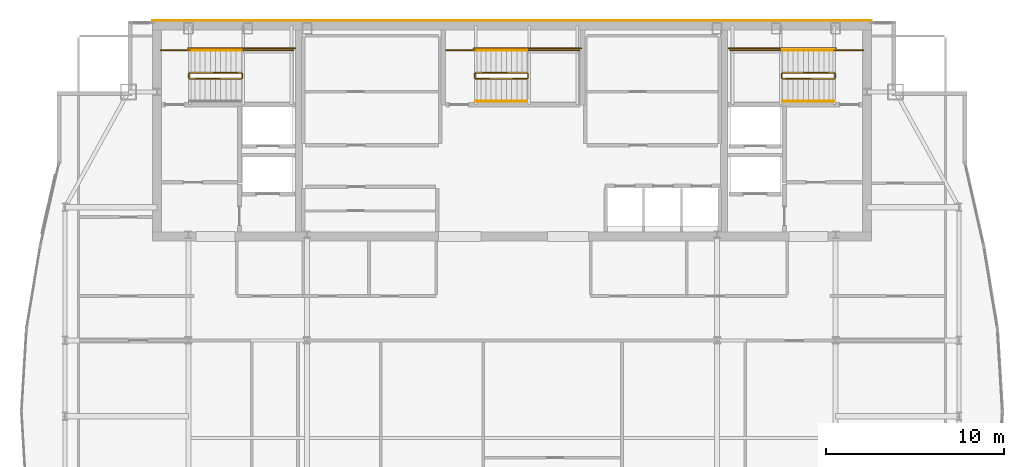
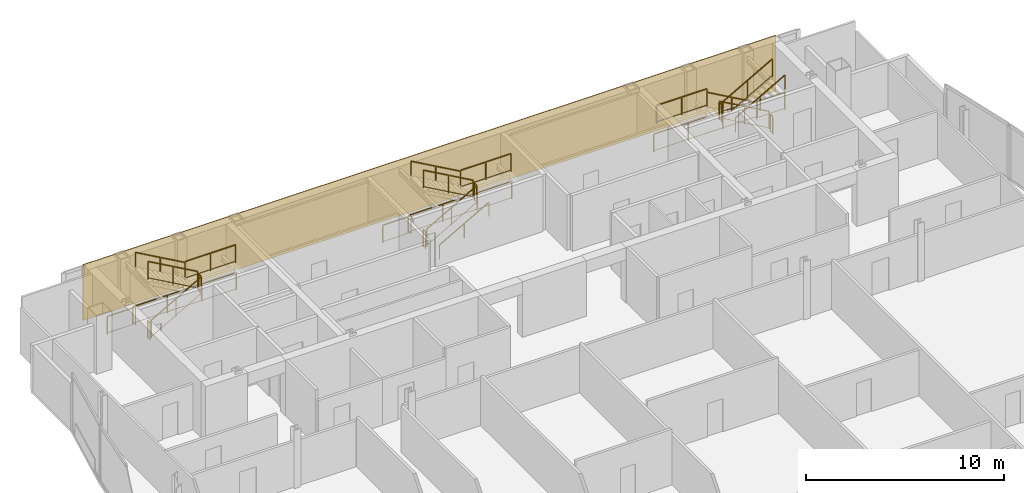
# One storey, part 29 of 29: 26 railings, 1 covering.
"""IFC4 building model written with IfcOpenShell, lengths in metres."""

import ifcopenshell
import ifcopenshell.guid

model = None  # the IFC model being written
_history = None  # IfcOwnerHistory: only IFC2X3 demands one
_inside = {}  # id of a spatial element -> (the spatial element, [elements in it])
_under = {}  # id of a project, library or spatial element -> (it, [spatial elements below it])
_declared = {}  # id of a project -> (the project, [libraries it declares])
_typed = {}  # id of a type object -> (the type object, [elements of that type])
_made_of = {}  # id of a material, layer set ... -> (it, [elements and type objects made of it])


def new_model(schema):
    """Start an empty IFC model of exactly this schema.

    Asked for "IFC4X3", IfcOpenShell would pick the latest addendum, in which some entities
    have other attributes; the version numbers below select the first issue.
    IFC2X3 requires an IfcOwnerHistory on every rooted entity: one is made here for all.
    """
    global model, _history
    if schema == "IFC4X3":
        model = ifcopenshell.file(schema_version=(4, 3, 0, 0))
    else:
        model = ifcopenshell.file(schema=schema)
    _inside.clear()
    _under.clear()
    _declared.clear()
    _typed.clear()
    _made_of.clear()
    _history = None
    if model.schema == "IFC2X3":
        org = make("IfcOrganization", Name="unknown")
        user = make(
            "IfcPersonAndOrganization",
            ThePerson=make("IfcPerson", FamilyName="unknown"),
            TheOrganization=org,
        )
        app = make(
            "IfcApplication",
            ApplicationDeveloper=org,
            Version="unknown",
            ApplicationFullName="unknown",
            ApplicationIdentifier="unknown",
        )
        _history = make(
            "IfcOwnerHistory",
            OwningUser=user,
            OwningApplication=app,
            ChangeAction="ADDED",
            CreationDate=0,
        )
    return model


def make(cls, **values):
    """One entity of the class cls with the attributes given. An attribute that is None is left unset."""
    return model.create_entity(
        cls, **{name: value for name, value in values.items() if value is not None}
    )


def rooted(cls, **values):
    """An entity with a GlobalId (a new one), such as an element, a storey or a relation."""
    return make(cls, GlobalId=ifcopenshell.guid.new(), OwnerHistory=_history, **values)


def si_unit(unit_type, name, prefix=None):
    """IfcSIUnit, for example si_unit("LENGTHUNIT", "METRE", prefix="MILLI")."""
    return make("IfcSIUnit", UnitType=unit_type, Prefix=prefix, Name=name)


def assignment(units):
    """IfcUnitAssignment: the units of a project."""
    return None if units is None else make("IfcUnitAssignment", Units=units)


def point(xyz):
    """IfcCartesianPoint."""
    return None if xyz is None else make("IfcCartesianPoint", Coordinates=xyz)


def direction(xyz):
    """IfcDirection."""
    return None if xyz is None else make("IfcDirection", DirectionRatios=xyz)


def frame(location, z_axis=None, x_axis=None):
    """IfcAxis2Placement3D, a coordinate frame: its origin and axes. An axis left out is left unset."""
    return make(
        "IfcAxis2Placement3D",
        Location=point(location),
        Axis=direction(z_axis),
        RefDirection=direction(x_axis),
    )


def frame_2d(location, x_axis=None):
    """IfcAxis2Placement2D, a coordinate frame in the plane: its origin and x axis."""
    return make(
        "IfcAxis2Placement2D", Location=point(location), RefDirection=direction(x_axis)
    )


def origin():
    """The frame at (0, 0, 0) with its axes left unset."""
    return frame((0.0, 0.0, 0.0))


def origin_2d():
    """The frame at (0, 0) in the plane with its x axis left unset."""
    return frame_2d((0.0, 0.0))


def place(relative_to, where):
    """IfcLocalPlacement: puts the frame where relative to a parent placement (None: the world)."""
    return make(
        "IfcLocalPlacement", PlacementRelTo=relative_to, RelativePlacement=where
    )


def context(
    kind, dimensions, precision=None, world=None, true_north=None, identifier=None
):
    """IfcGeometricRepresentationContext, for example the 3D "Model" context."""
    return make(
        "IfcGeometricRepresentationContext",
        ContextIdentifier=identifier,
        ContextType=kind,
        CoordinateSpaceDimension=dimensions,
        Precision=precision,
        WorldCoordinateSystem=world,
        TrueNorth=true_north,
    )


def subcontext(parent, identifier, kind, view, scale=None):
    """IfcGeometricRepresentationSubContext, for example "Body" below "Model"."""
    return make(
        "IfcGeometricRepresentationSubContext",
        ContextIdentifier=identifier,
        ContextType=kind,
        ParentContext=parent,
        TargetScale=scale,
        TargetView=view,
    )


def project(units=None, contexts=None):
    """IfcProject with its units and contexts."""
    return rooted(
        "IfcProject",
        Name="project",
        RepresentationContexts=contexts,
        UnitsInContext=assignment(units),
    )


def spatial(cls, under=None, at=None, **own):
    """A site, building, storey or space (cls), placed at a placement, below another one or the project."""
    s = rooted(cls, ObjectPlacement=at, **own)
    if under is not None:
        _under.setdefault(under.id(), (under, []))[1].append(s)
    return s


def polyline(points):
    """IfcPolyline through the points."""
    return make("IfcPolyline", Points=[point(p) for p in points])


def profile(cls, at=None, kind="AREA", **sizes):
    """A parametric profile (cls). Its sizes go by their IFC names, for example OverallWidth=200.0."""
    return make(cls, ProfileType=kind, Position=at, **sizes)


def rectangle(**sizes):
    """IfcRectangleProfileDef."""
    return profile("IfcRectangleProfileDef", **sizes)


def outline(outer, holes=None, kind="AREA"):
    """IfcArbitraryClosedProfileDef: a profile drawn as a closed curve; with holes, ...WithVoids."""
    if holes is None:
        return make("IfcArbitraryClosedProfileDef", ProfileType=kind, OuterCurve=outer)
    return make(
        "IfcArbitraryProfileDefWithVoids",
        ProfileType=kind,
        OuterCurve=outer,
        InnerCurves=holes,
    )


def extrude(swept, where, along, depth):
    """IfcExtrudedAreaSolid: the profile swept, set in the frame where, extruded along a direction by depth."""
    return make(
        "IfcExtrudedAreaSolid",
        SweptArea=swept,
        Position=where,
        ExtrudedDirection=direction(along),
        Depth=depth,
    )


def shape(context_of_items, identifier, shape_type, items):
    """IfcShapeRepresentation: the items that make up one representation, for example the "Body"."""
    return make(
        "IfcShapeRepresentation",
        ContextOfItems=context_of_items,
        RepresentationIdentifier=identifier,
        RepresentationType=shape_type,
        Items=items,
    )


def material(Name=None, Category=None):
    """IfcMaterial."""
    return make("IfcMaterial", Name=Name, Category=Category)


def layer(
    of_material, thickness, ventilated=None, Name=None, Category=None, Priority=None
):
    """IfcMaterialLayer: one layer of a wall or slab, of a material (None: an air gap)."""
    return make(
        "IfcMaterialLayer",
        Material=of_material,
        LayerThickness=thickness,
        IsVentilated=ventilated,
        Name=Name,
        Category=Category,
        Priority=Priority,
    )


def layer_set(layers, Name=None):
    """IfcMaterialLayerSet."""
    return make("IfcMaterialLayerSet", MaterialLayers=layers, LayerSetName=Name)


def made_of(thing, what):
    """Note that an element or type object is made of a material, layer set ...; save() writes the relation."""
    if what is not None:
        _made_of.setdefault(what.id(), (what, []))[1].append(thing)
    return thing


def type_object(cls, material=None, **own):
    """A type object (cls), such as IfcWallType, which elements share."""
    return made_of(rooted(cls, **own), material)


def element(
    cls,
    number,
    at=None,
    inside=None,
    cuts=None,
    type_object=None,
    material=None,
    context=None,
    identifier="Body",
    shape_type=None,
    held_by="IfcProductDefinitionShape",
    body=None,
    shapes=None,
    **own,
):
    """One element of the class cls, such as IfcWall. Its Tag is "e" and its number.

    at: its placement. inside: the storey or other place that contains it. cuts: it is an
    opening in that element (IfcRelVoidsElement). A single representation is given by context,
    identifier, shape_type and body (its items); several are given by shapes. held_by: the class
    of the entity that holds the representations. save() writes the other relations.
    """
    e = rooted(cls, Tag="e%d" % number, ObjectPlacement=at, **own)
    if body is not None:
        shapes = [shape(context, identifier, shape_type, body)]
    if shapes is not None:
        e.Representation = make(held_by, Representations=shapes)
    if inside is not None:
        _inside.setdefault(inside.id(), (inside, []))[1].append(e)
    if cuts is not None:
        rooted(
            "IfcRelVoidsElement", RelatingBuildingElement=cuts, RelatedOpeningElement=e
        )
    if type_object is not None:
        _typed.setdefault(type_object.id(), (type_object, []))[1].append(e)
    return made_of(e, material)


def aggregate(whole, parts):
    """IfcRelAggregates: a whole, such as a stair, and the parts it consists of."""
    return rooted("IfcRelAggregates", RelatingObject=whole, RelatedObjects=parts)


def save(model, path):
    """Write the relations noted so far, then the file.

    IfcRelAggregates (storeys below a building ...), IfcRelContainedInSpatialStructure (elements
    in a storey), IfcRelDefinesByType, IfcRelAssociatesMaterial and IfcRelDeclares: one each for
    every whole, place, type object, material and project.
    """
    for whole, parts in _under.values():
        aggregate(whole, parts)
    for where, things in _inside.values():
        rooted(
            "IfcRelContainedInSpatialStructure",
            RelatedElements=things,
            RelatingStructure=where,
        )
    for kind, things in _typed.values():
        rooted("IfcRelDefinesByType", RelatedObjects=things, RelatingType=kind)
    for what, things in _made_of.values():
        rooted("IfcRelAssociatesMaterial", RelatedObjects=things, RelatingMaterial=what)
    for by, libraries in _declared.values():
        rooted("IfcRelDeclares", RelatingContext=by, RelatedDefinitions=libraries)
    model.write(path)


model = new_model("IFC4")

# Units and contexts
model_context = context("Model", 3, precision=1e-05, world=origin(), true_north=direction((0.0, 1.0)))
body_context = subcontext(model_context, "Body", "Model", "MODEL_VIEW")
ifc_project = project(units=[si_unit("LENGTHUNIT", "METRE"), si_unit("AREAUNIT", "SQUARE_METRE"), si_unit("VOLUMEUNIT", "CUBIC_METRE"), si_unit("PLANEANGLEUNIT", "RADIAN"), si_unit("MASSUNIT", "GRAM", prefix="KILO")], contexts=[model_context])

# Site, building, storey
site_placement = place(None, origin())
site = spatial("IfcSite", under=ifc_project, at=site_placement, CompositionType="ELEMENT")
building_placement = place(site_placement, origin())
building = spatial("IfcBuilding", under=site, at=building_placement, Name="Khoronbel Lancet Exchange", CompositionType="ELEMENT")
storey_placement = place(building_placement, frame((0.0, 0.0, 318.199951171875)))
storey = spatial("IfcBuildingStorey", under=building, at=storey_placement, Name="L82", CompositionType="ELEMENT", Elevation=318.199951171875)

# Covering
ifc_material_1 = material(Name="Honed Egyptian Limestone & Bronze Rainscreen", Category="masonry")
ifc_layer = layer(ifc_material_1, 0.050048828125, Name="Honed Egyptian Limestone & Bronze Rainscreen")
ifc_layer_set = layer_set([ifc_layer], Name="Honed Egyptian Limestone & Bronze Rainscreen")
covering_type = type_object("IfcCoveringType", Name="COV-CLAD1", PredefinedType="CLADDING", material=ifc_layer_set)
covering_placement = place(storey_placement, origin())
element("IfcCovering", 1, at=covering_placement, inside=storey, type_object=covering_type, Name="Level L82 north rear-core stone and bronze rainscreen cladding", PredefinedType="CLADDING", context=body_context, shape_type="SweptSolid", body=[
    extrude(outline(polyline([(16.199951171875, 53.699951171875), (56.699951171875, 53.699951171875), (56.699951171875, 53.75), (16.199951171875, 53.75), (16.199951171875, 53.699951171875)])), origin(), (0.0, 0.0, 1.0), 3.43994140625),
])

# Railings
ifc_material_2 = material(Name="Painted Steel Balustrade", Category="steel")
railing_type_1 = type_object("IfcRailingType", Name="RL-STG110", PredefinedType="GUARDRAIL", material=ifc_material_2)
railing_1_placement = place(storey_placement, frame((18.300048828125, 50.449951171875, 0.16357421875)))
element("IfcRailing", 2, at=railing_1_placement, inside=storey, type_object=railing_type_1, Name="L82 ST1 stair guard 1", PredefinedType="GUARDRAIL", context=body_context, shape_type="SweptSolid", body=[
    extrude(rectangle(XDim=0.048095703125, YDim=0.048095703125, at=origin_2d()), frame((0.0, 0.0, 1.09619140625), z_axis=(0.870897200241, 0.0, 0.491465224214), x_axis=(0.0, 1.0, 0.0)), (0.0, 0.0, 1.0), 3.329833984375),
    extrude(rectangle(XDim=0.02392578125, YDim=0.02392578125, at=origin_2d()), frame((0.0, 0.0, 0.080078125), z_axis=(0.870897200241, 0.0, 0.491465224214), x_axis=(0.0, 1.0, 0.0)), (0.0, 0.0, 1.0), 3.329833984375),
    extrude(rectangle(XDim=0.0419921875, YDim=0.0419921875, at=origin_2d()), origin(), (0.0, 0.0, 1.0), 1.072021484375),
    extrude(rectangle(XDim=0.0419921875, YDim=0.0419921875, at=origin_2d()), frame((1.449951171875, 0.0, 0.818359375)), (0.0, 0.0, 1.0), 1.072021484375),
    extrude(rectangle(XDim=0.0419921875, YDim=0.0419921875, at=origin_2d()), frame((2.89990234375, 0.0, 1.636474609375)), (0.0, 0.0, 1.0), 1.072021484375),
])
railing_2_placement = place(storey_placement, frame((21.25, 50.5, 1.800048828125)))
element("IfcRailing", 3, at=railing_2_placement, inside=storey, type_object=railing_type_1, Name="L82 ST1 stair guard 2", PredefinedType="GUARDRAIL", context=body_context, shape_type="SweptSolid", body=[
    extrude(rectangle(XDim=0.048095703125, YDim=0.048095703125, at=origin_2d()), frame((0.0, 0.0, 1.09619140625), z_axis=(0.0, 1.0, 0.0), x_axis=(-1.0, 0.0, 0.0)), (0.0, 0.0, 1.0), 0.219970703125),
    extrude(rectangle(XDim=0.02392578125, YDim=0.02392578125, at=origin_2d()), frame((0.0, 0.0, 0.080078125), z_axis=(0.0, 1.0, 0.0), x_axis=(-1.0, 0.0, 0.0)), (0.0, 0.0, 1.0), 0.219970703125),
    extrude(rectangle(XDim=0.0419921875, YDim=0.0419921875, at=origin_2d()), origin(), (0.0, 0.0, 1.0), 1.072021484375),
    extrude(rectangle(XDim=0.0419921875, YDim=0.0419921875, at=origin_2d()), frame((0.0, 0.219970703125, 0.0)), (0.0, 0.0, 1.0), 1.072021484375),
])
railing_3_placement = place(storey_placement, frame((21.199951171875, 52.050048828125, 1.800048828125)))
element("IfcRailing", 4, at=railing_3_placement, inside=storey, type_object=railing_type_1, Name="L82 ST1 stair guard 3", PredefinedType="GUARDRAIL", context=body_context, shape_type="SweptSolid", body=[
    extrude(rectangle(XDim=0.048095703125, YDim=0.048095703125, at=origin_2d()), frame((0.0, 0.0, 1.09619140625), z_axis=(1.0, 0.0, 0.0), x_axis=(0.0, 1.0, 0.0)), (0.0, 0.0, 1.0), 2.949951171875),
    extrude(rectangle(XDim=0.02392578125, YDim=0.02392578125, at=origin_2d()), frame((0.0, 0.0, 0.080078125), z_axis=(1.0, 0.0, 0.0), x_axis=(0.0, 1.0, 0.0)), (0.0, 0.0, 1.0), 2.949951171875),
    extrude(rectangle(XDim=0.0419921875, YDim=0.0419921875, at=origin_2d()), origin(), (0.0, 0.0, 1.0), 1.072021484375),
    extrude(rectangle(XDim=0.0419921875, YDim=0.0419921875, at=origin_2d()), frame((1.47509765625, 0.0, 0.0)), (0.0, 0.0, 1.0), 1.072021484375),
    extrude(rectangle(XDim=0.0419921875, YDim=0.0419921875, at=origin_2d()), frame((2.949951171875, 0.0, 0.0)), (0.0, 0.0, 1.0), 1.072021484375),
])
railing_4_placement = place(storey_placement, frame((21.199951171875, 50.77001953125, 1.963623046875)))
element("IfcRailing", 5, at=railing_4_placement, inside=storey, type_object=railing_type_1, Name="L82 ST1 stair guard 4", PredefinedType="GUARDRAIL", context=body_context, shape_type="SweptSolid", body=[
    extrude(rectangle(XDim=0.048095703125, YDim=0.048095703125, at=origin_2d()), frame((0.0, 0.0, 1.09619140625), z_axis=(-0.870897200241, 0.0, 0.491465224214), x_axis=(0.0, -1.0, 0.0)), (0.0, 0.0, 1.0), 3.329833984375),
    extrude(rectangle(XDim=0.02392578125, YDim=0.02392578125, at=origin_2d()), frame((0.0, 0.0, 0.080078125), z_axis=(-0.870897200241, 0.0, 0.491465224214), x_axis=(0.0, -1.0, 0.0)), (0.0, 0.0, 1.0), 3.329833984375),
    extrude(rectangle(XDim=0.0419921875, YDim=0.0419921875, at=origin_2d()), origin(), (0.0, 0.0, 1.0), 1.072021484375),
    extrude(rectangle(XDim=0.0419921875, YDim=0.0419921875, at=origin_2d()), frame((-1.449951171875, 0.0, 0.818359375)), (0.0, 0.0, 1.0), 1.072021484375),
    extrude(rectangle(XDim=0.0419921875, YDim=0.0419921875, at=origin_2d()), frame((-2.89990234375, 0.0, 1.636474609375)), (0.0, 0.0, 1.0), 1.072021484375),
])
railing_5_placement = place(storey_placement, frame((18.25, 50.5, 0.0)))
element("IfcRailing", 6, at=railing_5_placement, inside=storey, type_object=railing_type_1, Name="L82 ST1 stair guard 5", PredefinedType="GUARDRAIL", context=body_context, shape_type="SweptSolid", body=[
    extrude(rectangle(XDim=0.048095703125, YDim=0.048095703125, at=origin_2d()), frame((0.0, 0.0, 1.09619140625), z_axis=(0.0, 1.0, 0.0), x_axis=(-1.0, 0.0, 0.0)), (0.0, 0.0, 1.0), 0.219970703125),
    extrude(rectangle(XDim=0.02392578125, YDim=0.02392578125, at=origin_2d()), frame((0.0, 0.0, 0.080078125), z_axis=(0.0, 1.0, 0.0), x_axis=(-1.0, 0.0, 0.0)), (0.0, 0.0, 1.0), 0.219970703125),
    extrude(rectangle(XDim=0.0419921875, YDim=0.0419921875, at=origin_2d()), origin(), (0.0, 0.0, 1.0), 1.072021484375),
    extrude(rectangle(XDim=0.0419921875, YDim=0.0419921875, at=origin_2d()), frame((0.0, 0.219970703125, 0.0)), (0.0, 0.0, 1.0), 1.072021484375),
])
railing_6_placement = place(storey_placement, frame((16.64990234375, 52.050048828125, 0.0)))
element("IfcRailing", 7, at=railing_6_placement, inside=storey, type_object=railing_type_1, Name="L82 ST1 stair guard 6", PredefinedType="GUARDRAIL", context=body_context, shape_type="SweptSolid", body=[
    extrude(rectangle(XDim=0.048095703125, YDim=0.048095703125, at=origin_2d()), frame((0.0, 0.0, 1.09619140625), z_axis=(1.0, 0.0, 0.0), x_axis=(0.0, 1.0, 0.0)), (0.0, 0.0, 1.0), 1.650146484375),
    extrude(rectangle(XDim=0.02392578125, YDim=0.02392578125, at=origin_2d()), frame((0.0, 0.0, 0.080078125), z_axis=(1.0, 0.0, 0.0), x_axis=(0.0, 1.0, 0.0)), (0.0, 0.0, 1.0), 1.650146484375),
    extrude(rectangle(XDim=0.0419921875, YDim=0.0419921875, at=origin_2d()), origin(), (0.0, 0.0, 1.0), 1.072021484375),
    extrude(rectangle(XDim=0.0419921875, YDim=0.0419921875, at=origin_2d()), frame((1.650146484375, 0.0, 0.0)), (0.0, 0.0, 1.0), 1.072021484375),
])
railing_7_placement = place(storey_placement, frame((18.199951171875, 52.14990234375, 0.0)))
element("IfcRailing", 8, at=railing_7_placement, inside=storey, type_object=railing_type_1, Name="L82 ST1 stair guard 7", PredefinedType="GUARDRAIL", context=body_context, shape_type="SweptSolid", body=[
    extrude(rectangle(XDim=0.048095703125, YDim=0.048095703125, at=origin_2d()), frame((0.0, 0.0, 1.09619140625), z_axis=(1.0, 0.0, 0.0), x_axis=(0.0, 1.0, 0.0)), (0.0, 0.0, 1.0), 6.050048828125),
    extrude(rectangle(XDim=0.02392578125, YDim=0.02392578125, at=origin_2d()), frame((0.0, 0.0, 0.080078125), z_axis=(1.0, 0.0, 0.0), x_axis=(0.0, 1.0, 0.0)), (0.0, 0.0, 1.0), 6.050048828125),
    extrude(rectangle(XDim=0.0419921875, YDim=0.0419921875, at=origin_2d()), origin(), (0.0, 0.0, 1.0), 1.072021484375),
    extrude(rectangle(XDim=0.0419921875, YDim=0.0419921875, at=origin_2d()), frame((2.0166015625, 0.0, 0.0)), (0.0, 0.0, 1.0), 1.072021484375),
    extrude(rectangle(XDim=0.0419921875, YDim=0.0419921875, at=origin_2d()), frame((4.033447265625, 0.0, 0.0)), (0.0, 0.0, 1.0), 1.072021484375),
    extrude(rectangle(XDim=0.0419921875, YDim=0.0419921875, at=origin_2d()), frame((6.050048828125, 0.0, 0.0)), (0.0, 0.0, 1.0), 1.072021484375),
])
railing_8_placement = place(storey_placement, frame((54.60009765625, 50.77001953125, 0.16357421875)))
element("IfcRailing", 9, at=railing_8_placement, inside=storey, type_object=railing_type_1, Name="L82 ST2 stair guard 1", PredefinedType="GUARDRAIL", context=body_context, shape_type="SweptSolid", body=[
    extrude(rectangle(XDim=0.048095703125, YDim=0.048095703125, at=origin_2d()), frame((0.0, 0.0, 1.09619140625), z_axis=(-0.870914908162, 0.0, 0.491433843708), x_axis=(0.0, -1.0, 0.0)), (0.0, 0.0, 1.0), 3.330078125),
    extrude(rectangle(XDim=0.02392578125, YDim=0.02392578125, at=origin_2d()), frame((0.0, 0.0, 0.080078125), z_axis=(-0.870914908162, 0.0, 0.491433843708), x_axis=(0.0, -1.0, 0.0)), (0.0, 0.0, 1.0), 3.330078125),
    extrude(rectangle(XDim=0.0419921875, YDim=0.0419921875, at=origin_2d()), origin(), (0.0, 0.0, 1.0), 1.072021484375),
    extrude(rectangle(XDim=0.0419921875, YDim=0.0419921875, at=origin_2d()), frame((-1.4501953125, 0.0, 0.818359375)), (0.0, 0.0, 1.0), 1.072021484375),
    extrude(rectangle(XDim=0.0419921875, YDim=0.0419921875, at=origin_2d()), frame((-2.900146484375, 0.0, 1.636474609375)), (0.0, 0.0, 1.0), 1.072021484375),
])
railing_9_placement = place(storey_placement, frame((51.64990234375, 50.719970703125, 1.800048828125)))
element("IfcRailing", 10, at=railing_9_placement, inside=storey, type_object=railing_type_1, Name="L82 ST2 stair guard 2", PredefinedType="GUARDRAIL", context=body_context, shape_type="SweptSolid", body=[
    extrude(rectangle(XDim=0.048095703125, YDim=0.048095703125, at=origin_2d()), frame((0.0, 0.0, 1.09619140625), z_axis=(0.0, -1.0, 0.0), x_axis=(1.0, 0.0, 0.0)), (0.0, 0.0, 1.0), 0.219970703125),
    extrude(rectangle(XDim=0.02392578125, YDim=0.02392578125, at=origin_2d()), frame((0.0, 0.0, 0.080078125), z_axis=(0.0, -1.0, 0.0), x_axis=(1.0, 0.0, 0.0)), (0.0, 0.0, 1.0), 0.219970703125),
    extrude(rectangle(XDim=0.0419921875, YDim=0.0419921875, at=origin_2d()), origin(), (0.0, 0.0, 1.0), 1.072021484375),
    extrude(rectangle(XDim=0.0419921875, YDim=0.0419921875, at=origin_2d()), frame((0.0, -0.219970703125, 0.0)), (0.0, 0.0, 1.0), 1.072021484375),
])
railing_10_placement = place(storey_placement, frame((51.699951171875, 52.050048828125, 1.800048828125)))
element("IfcRailing", 11, at=railing_10_placement, inside=storey, type_object=railing_type_1, Name="L82 ST2 stair guard 3", PredefinedType="GUARDRAIL", context=body_context, shape_type="SweptSolid", body=[
    extrude(rectangle(XDim=0.048095703125, YDim=0.048095703125, at=origin_2d()), frame((0.0, 0.0, 1.09619140625), z_axis=(-1.0, 0.0, 0.0), x_axis=(0.0, -1.0, 0.0)), (0.0, 0.0, 1.0), 2.949951171875),
    extrude(rectangle(XDim=0.02392578125, YDim=0.02392578125, at=origin_2d()), frame((0.0, 0.0, 0.080078125), z_axis=(-1.0, 0.0, 0.0), x_axis=(0.0, -1.0, 0.0)), (0.0, 0.0, 1.0), 2.949951171875),
    extrude(rectangle(XDim=0.0419921875, YDim=0.0419921875, at=origin_2d()), origin(), (0.0, 0.0, 1.0), 1.072021484375),
    extrude(rectangle(XDim=0.0419921875, YDim=0.0419921875, at=origin_2d()), frame((-1.47509765625, 0.0, 0.0)), (0.0, 0.0, 1.0), 1.072021484375),
    extrude(rectangle(XDim=0.0419921875, YDim=0.0419921875, at=origin_2d()), frame((-2.949951171875, 0.0, 0.0)), (0.0, 0.0, 1.0), 1.072021484375),
])
railing_11_placement = place(storey_placement, frame((51.699951171875, 50.449951171875, 1.963623046875)))
element("IfcRailing", 12, at=railing_11_placement, inside=storey, type_object=railing_type_1, Name="L82 ST2 stair guard 4", PredefinedType="GUARDRAIL", context=body_context, shape_type="SweptSolid", body=[
    extrude(rectangle(XDim=0.048095703125, YDim=0.048095703125, at=origin_2d()), frame((0.0, 0.0, 1.09619140625), z_axis=(0.870914908162, 0.0, 0.491433843708), x_axis=(0.0, 1.0, 0.0)), (0.0, 0.0, 1.0), 3.330078125),
    extrude(rectangle(XDim=0.02392578125, YDim=0.02392578125, at=origin_2d()), frame((0.0, 0.0, 0.080078125), z_axis=(0.870914908162, 0.0, 0.491433843708), x_axis=(0.0, 1.0, 0.0)), (0.0, 0.0, 1.0), 3.330078125),
    extrude(rectangle(XDim=0.0419921875, YDim=0.0419921875, at=origin_2d()), origin(), (0.0, 0.0, 1.0), 1.072021484375),
    extrude(rectangle(XDim=0.0419921875, YDim=0.0419921875, at=origin_2d()), frame((1.4501953125, 0.0, 0.818359375)), (0.0, 0.0, 1.0), 1.072021484375),
    extrude(rectangle(XDim=0.0419921875, YDim=0.0419921875, at=origin_2d()), frame((2.900146484375, 0.0, 1.636474609375)), (0.0, 0.0, 1.0), 1.072021484375),
])
railing_12_placement = place(storey_placement, frame((54.64990234375, 50.719970703125, 0.0)))
element("IfcRailing", 13, at=railing_12_placement, inside=storey, type_object=railing_type_1, Name="L82 ST2 stair guard 5", PredefinedType="GUARDRAIL", context=body_context, shape_type="SweptSolid", body=[
    extrude(rectangle(XDim=0.048095703125, YDim=0.048095703125, at=origin_2d()), frame((0.0, 0.0, 1.09619140625), z_axis=(0.0, -1.0, 0.0), x_axis=(1.0, 0.0, 0.0)), (0.0, 0.0, 1.0), 0.219970703125),
    extrude(rectangle(XDim=0.02392578125, YDim=0.02392578125, at=origin_2d()), frame((0.0, 0.0, 0.080078125), z_axis=(0.0, -1.0, 0.0), x_axis=(1.0, 0.0, 0.0)), (0.0, 0.0, 1.0), 0.219970703125),
    extrude(rectangle(XDim=0.0419921875, YDim=0.0419921875, at=origin_2d()), origin(), (0.0, 0.0, 1.0), 1.072021484375),
    extrude(rectangle(XDim=0.0419921875, YDim=0.0419921875, at=origin_2d()), frame((0.0, -0.219970703125, 0.0)), (0.0, 0.0, 1.0), 1.072021484375),
])
railing_13_placement = place(storey_placement, frame((56.25, 52.050048828125, 0.0)))
element("IfcRailing", 14, at=railing_13_placement, inside=storey, type_object=railing_type_1, Name="L82 ST2 stair guard 6", PredefinedType="GUARDRAIL", context=body_context, shape_type="SweptSolid", body=[
    extrude(rectangle(XDim=0.048095703125, YDim=0.048095703125, at=origin_2d()), frame((0.0, 0.0, 1.09619140625), z_axis=(-1.0, 0.0, 0.0), x_axis=(0.0, -1.0, 0.0)), (0.0, 0.0, 1.0), 1.64990234375),
    extrude(rectangle(XDim=0.02392578125, YDim=0.02392578125, at=origin_2d()), frame((0.0, 0.0, 0.080078125), z_axis=(-1.0, 0.0, 0.0), x_axis=(0.0, -1.0, 0.0)), (0.0, 0.0, 1.0), 1.64990234375),
    extrude(rectangle(XDim=0.0419921875, YDim=0.0419921875, at=origin_2d()), origin(), (0.0, 0.0, 1.0), 1.072021484375),
    extrude(rectangle(XDim=0.0419921875, YDim=0.0419921875, at=origin_2d()), frame((-1.64990234375, 0.0, 0.0)), (0.0, 0.0, 1.0), 1.072021484375),
])
railing_14_placement = place(storey_placement, frame((54.699951171875, 52.14990234375, 0.0)))
element("IfcRailing", 15, at=railing_14_placement, inside=storey, type_object=railing_type_1, Name="L82 ST2 stair guard 7", PredefinedType="GUARDRAIL", context=body_context, shape_type="SweptSolid", body=[
    extrude(rectangle(XDim=0.048095703125, YDim=0.048095703125, at=origin_2d()), frame((0.0, 0.0, 1.09619140625), z_axis=(-1.0, 0.0, 0.0), x_axis=(0.0, -1.0, 0.0)), (0.0, 0.0, 1.0), 6.050048828125),
    extrude(rectangle(XDim=0.02392578125, YDim=0.02392578125, at=origin_2d()), frame((0.0, 0.0, 0.080078125), z_axis=(-1.0, 0.0, 0.0), x_axis=(0.0, -1.0, 0.0)), (0.0, 0.0, 1.0), 6.050048828125),
    extrude(rectangle(XDim=0.0419921875, YDim=0.0419921875, at=origin_2d()), origin(), (0.0, 0.0, 1.0), 1.072021484375),
    extrude(rectangle(XDim=0.0419921875, YDim=0.0419921875, at=origin_2d()), frame((-2.0166015625, 0.0, 0.0)), (0.0, 0.0, 1.0), 1.072021484375),
    extrude(rectangle(XDim=0.0419921875, YDim=0.0419921875, at=origin_2d()), frame((-4.033447265625, 0.0, 0.0)), (0.0, 0.0, 1.0), 1.072021484375),
    extrude(rectangle(XDim=0.0419921875, YDim=0.0419921875, at=origin_2d()), frame((-6.050048828125, 0.0, 0.0)), (0.0, 0.0, 1.0), 1.072021484375),
])
railing_15_placement = place(storey_placement, frame((34.39990234375, 50.449951171875, 0.16357421875)))
element("IfcRailing", 16, at=railing_15_placement, inside=storey, type_object=railing_type_1, Name="L82 ST3 stair guard 1", PredefinedType="GUARDRAIL", context=body_context, shape_type="SweptSolid", body=[
    extrude(rectangle(XDim=0.048095703125, YDim=0.048095703125, at=origin_2d()), frame((0.0, 0.0, 1.09619140625), z_axis=(0.870914908162, 0.0, 0.491433843708), x_axis=(0.0, 1.0, 0.0)), (0.0, 0.0, 1.0), 3.330078125),
    extrude(rectangle(XDim=0.02392578125, YDim=0.02392578125, at=origin_2d()), frame((0.0, 0.0, 0.080078125), z_axis=(0.870914908162, 0.0, 0.491433843708), x_axis=(0.0, 1.0, 0.0)), (0.0, 0.0, 1.0), 3.330078125),
    extrude(rectangle(XDim=0.0419921875, YDim=0.0419921875, at=origin_2d()), origin(), (0.0, 0.0, 1.0), 1.072021484375),
    extrude(rectangle(XDim=0.0419921875, YDim=0.0419921875, at=origin_2d()), frame((1.4501953125, 0.0, 0.818359375)), (0.0, 0.0, 1.0), 1.072021484375),
    extrude(rectangle(XDim=0.0419921875, YDim=0.0419921875, at=origin_2d()), frame((2.900146484375, 0.0, 1.636474609375)), (0.0, 0.0, 1.0), 1.072021484375),
])
railing_16_placement = place(storey_placement, frame((37.35009765625, 50.5, 1.800048828125)))
element("IfcRailing", 17, at=railing_16_placement, inside=storey, type_object=railing_type_1, Name="L82 ST3 stair guard 2", PredefinedType="GUARDRAIL", context=body_context, shape_type="SweptSolid", body=[
    extrude(rectangle(XDim=0.048095703125, YDim=0.048095703125, at=origin_2d()), frame((0.0, 0.0, 1.09619140625), z_axis=(0.0, 1.0, 0.0), x_axis=(-1.0, 0.0, 0.0)), (0.0, 0.0, 1.0), 0.219970703125),
    extrude(rectangle(XDim=0.02392578125, YDim=0.02392578125, at=origin_2d()), frame((0.0, 0.0, 0.080078125), z_axis=(0.0, 1.0, 0.0), x_axis=(-1.0, 0.0, 0.0)), (0.0, 0.0, 1.0), 0.219970703125),
    extrude(rectangle(XDim=0.0419921875, YDim=0.0419921875, at=origin_2d()), origin(), (0.0, 0.0, 1.0), 1.072021484375),
    extrude(rectangle(XDim=0.0419921875, YDim=0.0419921875, at=origin_2d()), frame((0.0, 0.219970703125, 0.0)), (0.0, 0.0, 1.0), 1.072021484375),
])
railing_17_placement = place(storey_placement, frame((37.300048828125, 52.050048828125, 1.800048828125)))
element("IfcRailing", 18, at=railing_17_placement, inside=storey, type_object=railing_type_1, Name="L82 ST3 stair guard 3", PredefinedType="GUARDRAIL", context=body_context, shape_type="SweptSolid", body=[
    extrude(rectangle(XDim=0.048095703125, YDim=0.048095703125, at=origin_2d()), frame((0.0, 0.0, 1.09619140625), z_axis=(1.0, 0.0, 0.0), x_axis=(0.0, 1.0, 0.0)), (0.0, 0.0, 1.0), 2.949951171875),
    extrude(rectangle(XDim=0.02392578125, YDim=0.02392578125, at=origin_2d()), frame((0.0, 0.0, 0.080078125), z_axis=(1.0, 0.0, 0.0), x_axis=(0.0, 1.0, 0.0)), (0.0, 0.0, 1.0), 2.949951171875),
    extrude(rectangle(XDim=0.0419921875, YDim=0.0419921875, at=origin_2d()), origin(), (0.0, 0.0, 1.0), 1.072021484375),
    extrude(rectangle(XDim=0.0419921875, YDim=0.0419921875, at=origin_2d()), frame((1.47509765625, 0.0, 0.0)), (0.0, 0.0, 1.0), 1.072021484375),
    extrude(rectangle(XDim=0.0419921875, YDim=0.0419921875, at=origin_2d()), frame((2.949951171875, 0.0, 0.0)), (0.0, 0.0, 1.0), 1.072021484375),
])
railing_18_placement = place(storey_placement, frame((37.300048828125, 50.77001953125, 1.963623046875)))
element("IfcRailing", 19, at=railing_18_placement, inside=storey, type_object=railing_type_1, Name="L82 ST3 stair guard 4", PredefinedType="GUARDRAIL", context=body_context, shape_type="SweptSolid", body=[
    extrude(rectangle(XDim=0.048095703125, YDim=0.048095703125, at=origin_2d()), frame((0.0, 0.0, 1.09619140625), z_axis=(-0.870914908162, 0.0, 0.491433843708), x_axis=(0.0, -1.0, 0.0)), (0.0, 0.0, 1.0), 3.330078125),
    extrude(rectangle(XDim=0.02392578125, YDim=0.02392578125, at=origin_2d()), frame((0.0, 0.0, 0.080078125), z_axis=(-0.870914908162, 0.0, 0.491433843708), x_axis=(0.0, -1.0, 0.0)), (0.0, 0.0, 1.0), 3.330078125),
    extrude(rectangle(XDim=0.0419921875, YDim=0.0419921875, at=origin_2d()), origin(), (0.0, 0.0, 1.0), 1.072021484375),
    extrude(rectangle(XDim=0.0419921875, YDim=0.0419921875, at=origin_2d()), frame((-1.4501953125, 0.0, 0.818359375)), (0.0, 0.0, 1.0), 1.072021484375),
    extrude(rectangle(XDim=0.0419921875, YDim=0.0419921875, at=origin_2d()), frame((-2.900146484375, 0.0, 1.636474609375)), (0.0, 0.0, 1.0), 1.072021484375),
])
railing_19_placement = place(storey_placement, frame((34.35009765625, 50.5, 0.0)))
element("IfcRailing", 20, at=railing_19_placement, inside=storey, type_object=railing_type_1, Name="L82 ST3 stair guard 5", PredefinedType="GUARDRAIL", context=body_context, shape_type="SweptSolid", body=[
    extrude(rectangle(XDim=0.048095703125, YDim=0.048095703125, at=origin_2d()), frame((0.0, 0.0, 1.09619140625), z_axis=(0.0, 1.0, 0.0), x_axis=(-1.0, 0.0, 0.0)), (0.0, 0.0, 1.0), 0.219970703125),
    extrude(rectangle(XDim=0.02392578125, YDim=0.02392578125, at=origin_2d()), frame((0.0, 0.0, 0.080078125), z_axis=(0.0, 1.0, 0.0), x_axis=(-1.0, 0.0, 0.0)), (0.0, 0.0, 1.0), 0.219970703125),
    extrude(rectangle(XDim=0.0419921875, YDim=0.0419921875, at=origin_2d()), origin(), (0.0, 0.0, 1.0), 1.072021484375),
    extrude(rectangle(XDim=0.0419921875, YDim=0.0419921875, at=origin_2d()), frame((0.0, 0.219970703125, 0.0)), (0.0, 0.0, 1.0), 1.072021484375),
])
railing_20_placement = place(storey_placement, frame((32.75, 52.050048828125, 0.0)))
element("IfcRailing", 21, at=railing_20_placement, inside=storey, type_object=railing_type_1, Name="L82 ST3 stair guard 6", PredefinedType="GUARDRAIL", context=body_context, shape_type="SweptSolid", body=[
    extrude(rectangle(XDim=0.048095703125, YDim=0.048095703125, at=origin_2d()), frame((0.0, 0.0, 1.09619140625), z_axis=(1.0, 0.0, 0.0), x_axis=(0.0, 1.0, 0.0)), (0.0, 0.0, 1.0), 1.64990234375),
    extrude(rectangle(XDim=0.02392578125, YDim=0.02392578125, at=origin_2d()), frame((0.0, 0.0, 0.080078125), z_axis=(1.0, 0.0, 0.0), x_axis=(0.0, 1.0, 0.0)), (0.0, 0.0, 1.0), 1.64990234375),
    extrude(rectangle(XDim=0.0419921875, YDim=0.0419921875, at=origin_2d()), origin(), (0.0, 0.0, 1.0), 1.072021484375),
    extrude(rectangle(XDim=0.0419921875, YDim=0.0419921875, at=origin_2d()), frame((1.64990234375, 0.0, 0.0)), (0.0, 0.0, 1.0), 1.072021484375),
])
railing_21_placement = place(storey_placement, frame((34.300048828125, 52.14990234375, 0.0)))
element("IfcRailing", 22, at=railing_21_placement, inside=storey, type_object=railing_type_1, Name="L82 ST3 stair guard 7", PredefinedType="GUARDRAIL", context=body_context, shape_type="SweptSolid", body=[
    extrude(rectangle(XDim=0.048095703125, YDim=0.048095703125, at=origin_2d()), frame((0.0, 0.0, 1.09619140625), z_axis=(1.0, 0.0, 0.0), x_axis=(0.0, 1.0, 0.0)), (0.0, 0.0, 1.0), 6.050048828125),
    extrude(rectangle(XDim=0.02392578125, YDim=0.02392578125, at=origin_2d()), frame((0.0, 0.0, 0.080078125), z_axis=(1.0, 0.0, 0.0), x_axis=(0.0, 1.0, 0.0)), (0.0, 0.0, 1.0), 6.050048828125),
    extrude(rectangle(XDim=0.0419921875, YDim=0.0419921875, at=origin_2d()), origin(), (0.0, 0.0, 1.0), 1.072021484375),
    extrude(rectangle(XDim=0.0419921875, YDim=0.0419921875, at=origin_2d()), frame((2.0166015625, 0.0, 0.0)), (0.0, 0.0, 1.0), 1.072021484375),
    extrude(rectangle(XDim=0.0419921875, YDim=0.0419921875, at=origin_2d()), frame((4.033447265625, 0.0, 0.0)), (0.0, 0.0, 1.0), 1.072021484375),
    extrude(rectangle(XDim=0.0419921875, YDim=0.0419921875, at=origin_2d()), frame((6.050048828125, 0.0, 0.0)), (0.0, 0.0, 1.0), 1.072021484375),
])
ifc_material_3 = material(Name="Brushed Stainless Steel 316", Category="steel")
railing_type_2 = type_object("IfcRailingType", Name="RL-STH92", PredefinedType="HANDRAIL", material=ifc_material_3)
railing_22_placement = place(storey_placement, frame((21.199951171875, 52.050048828125, 1.963623046875)))
element("IfcRailing", 23, at=railing_22_placement, inside=storey, type_object=railing_type_2, Name="L82 ST1 stair handrail 2", PredefinedType="HANDRAIL", context=body_context, shape_type="SweptSolid", body=[
    extrude(rectangle(XDim=0.048095703125, YDim=0.048095703125, at=origin_2d()), frame((0.0, 0.0, 0.8759765625), z_axis=(-0.870897200241, 0.0, 0.491465224214), x_axis=(0.0, -1.0, 0.0)), (0.0, 0.0, 1.0), 3.329833984375),
    extrude(rectangle(XDim=0.0419921875, YDim=0.0419921875, at=origin_2d()), origin(), (0.0, 0.0, 1.0), 0.851806640625),
    extrude(rectangle(XDim=0.0419921875, YDim=0.0419921875, at=origin_2d()), frame((-1.449951171875, 0.0, 0.818359375)), (0.0, 0.0, 1.0), 0.851806640625),
    extrude(rectangle(XDim=0.0419921875, YDim=0.0419921875, at=origin_2d()), frame((-2.89990234375, 0.0, 1.636474609375)), (0.0, 0.0, 1.0), 0.851806640625),
])
railing_23_placement = place(storey_placement, frame((54.60009765625, 52.050048828125, 0.16357421875)))
element("IfcRailing", 24, at=railing_23_placement, inside=storey, type_object=railing_type_2, Name="L82 ST2 stair handrail 1", PredefinedType="HANDRAIL", context=body_context, shape_type="SweptSolid", body=[
    extrude(rectangle(XDim=0.048095703125, YDim=0.048095703125, at=origin_2d()), frame((0.0, 0.0, 0.8759765625), z_axis=(-0.870914908162, 0.0, 0.491433843708), x_axis=(0.0, -1.0, 0.0)), (0.0, 0.0, 1.0), 3.330078125),
    extrude(rectangle(XDim=0.0419921875, YDim=0.0419921875, at=origin_2d()), origin(), (0.0, 0.0, 1.0), 0.851806640625),
    extrude(rectangle(XDim=0.0419921875, YDim=0.0419921875, at=origin_2d()), frame((-1.4501953125, 0.0, 0.818359375)), (0.0, 0.0, 1.0), 0.851806640625),
    extrude(rectangle(XDim=0.0419921875, YDim=0.0419921875, at=origin_2d()), frame((-2.900146484375, 0.0, 1.636474609375)), (0.0, 0.0, 1.0), 0.851806640625),
])
for number, where, name in (
    (25, (51.699951171875, 49.169921875, 1.963623046875), "L82 ST2 stair handrail 2"),
    (26, (34.39990234375, 49.169921875, 0.16357421875), "L82 ST3 stair handrail 1"),
):
    element("IfcRailing", number, at=place(storey_placement, frame(where)), inside=storey, type_object=railing_type_2, Name=name, PredefinedType="HANDRAIL", context=body_context, shape_type="SweptSolid", body=[
        extrude(rectangle(XDim=0.048095703125, YDim=0.048095703125, at=origin_2d()), frame((0.0, 0.0, 0.8759765625), z_axis=(0.870914908162, 0.0, 0.491433843708), x_axis=(0.0, 1.0, 0.0)), (0.0, 0.0, 1.0), 3.330078125),
        extrude(rectangle(XDim=0.0419921875, YDim=0.0419921875, at=origin_2d()), origin(), (0.0, 0.0, 1.0), 0.851806640625),
        extrude(rectangle(XDim=0.0419921875, YDim=0.0419921875, at=origin_2d()), frame((1.4501953125, 0.0, 0.818359375)), (0.0, 0.0, 1.0), 0.851806640625),
        extrude(rectangle(XDim=0.0419921875, YDim=0.0419921875, at=origin_2d()), frame((2.900146484375, 0.0, 1.636474609375)), (0.0, 0.0, 1.0), 0.851806640625),
    ])
railing_24_placement = place(storey_placement, frame((37.300048828125, 52.050048828125, 1.963623046875)))
element("IfcRailing", 27, at=railing_24_placement, inside=storey, type_object=railing_type_2, Name="L82 ST3 stair handrail 2", PredefinedType="HANDRAIL", context=body_context, shape_type="SweptSolid", body=[
    extrude(rectangle(XDim=0.048095703125, YDim=0.048095703125, at=origin_2d()), frame((0.0, 0.0, 0.8759765625), z_axis=(-0.870914908162, 0.0, 0.491433843708), x_axis=(0.0, -1.0, 0.0)), (0.0, 0.0, 1.0), 3.330078125),
    extrude(rectangle(XDim=0.0419921875, YDim=0.0419921875, at=origin_2d()), origin(), (0.0, 0.0, 1.0), 0.851806640625),
    extrude(rectangle(XDim=0.0419921875, YDim=0.0419921875, at=origin_2d()), frame((-1.4501953125, 0.0, 0.818359375)), (0.0, 0.0, 1.0), 0.851806640625),
    extrude(rectangle(XDim=0.0419921875, YDim=0.0419921875, at=origin_2d()), frame((-2.900146484375, 0.0, 1.636474609375)), (0.0, 0.0, 1.0), 0.851806640625),
])

save(model, "model.ifc")
